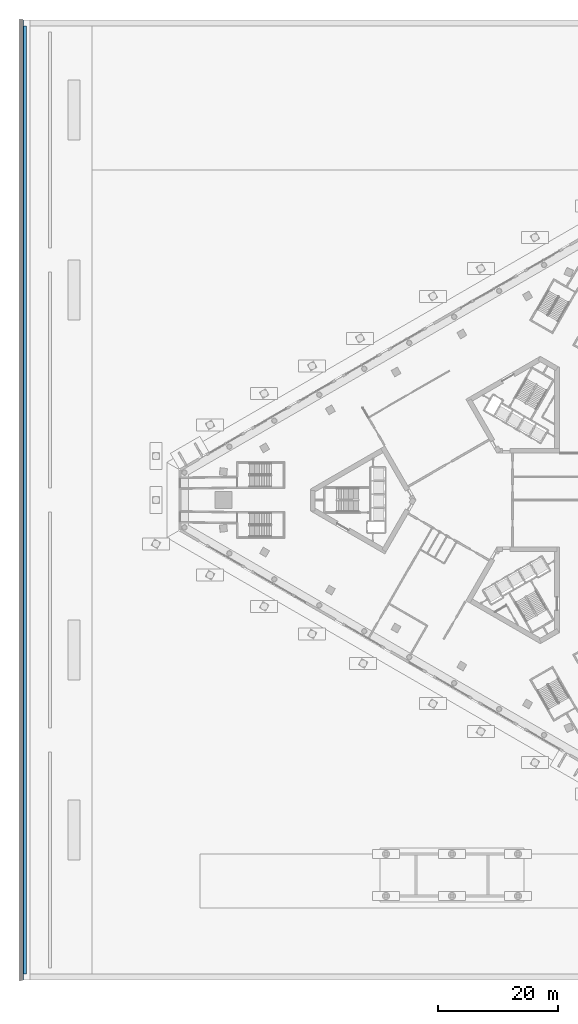
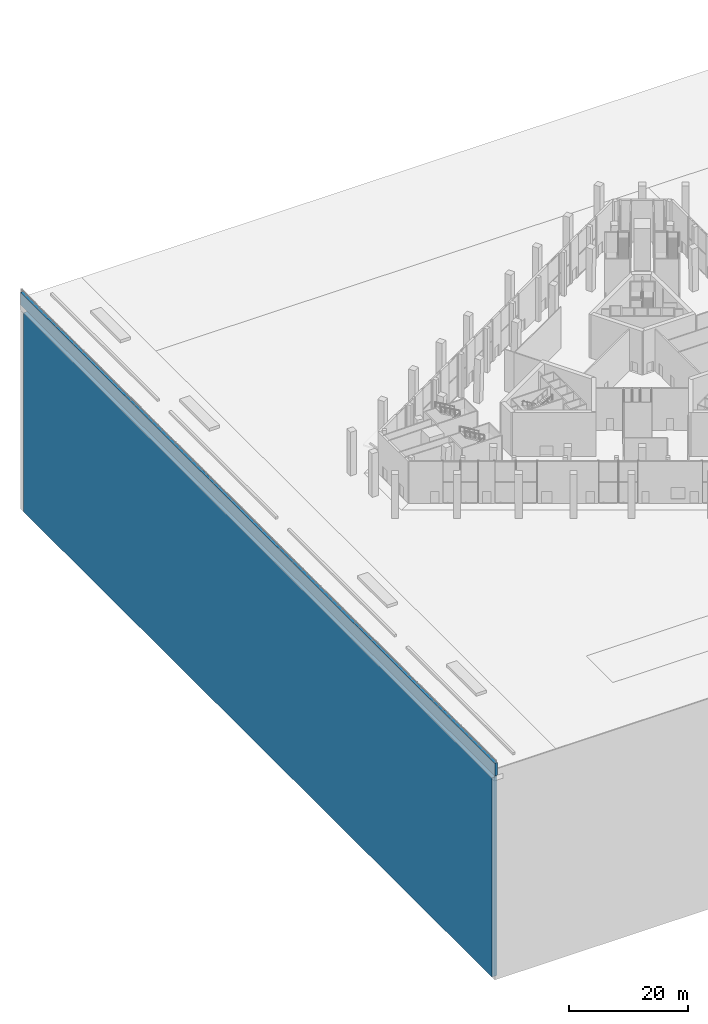
# One storey, part 25 of 63: 2 walls.
"""IFC4 building model written with IfcOpenShell, lengths in metres."""

from ifc_helpers import new_model, si_unit, direction, frame, frame_2d, origin, place, context, subcontext, project, spatial, rectangle, extrude, material, layer, layer_set, type_object, element, save


model = new_model("IFC4")

# Units and contexts
model_context = context("Model", 3, precision=1e-05, world=origin(), true_north=direction((0.0, 1.0)))
body_context = subcontext(model_context, "Body", "Model", "MODEL_VIEW")
ifc_project = project(units=[si_unit("LENGTHUNIT", "METRE"), si_unit("AREAUNIT", "SQUARE_METRE"), si_unit("VOLUMEUNIT", "CUBIC_METRE"), si_unit("PLANEANGLEUNIT", "RADIAN"), si_unit("MASSUNIT", "GRAM", prefix="KILO")], contexts=[model_context])

# Site, building, storey
site_placement = place(None, origin())
site = spatial("IfcSite", under=ifc_project, at=site_placement, CompositionType="ELEMENT")
building_placement = place(site_placement, origin())
building = spatial("IfcBuilding", under=site, at=building_placement, Name="Jabali Bay Hotel Tower and Convention Centre", CompositionType="ELEMENT")
storey_placement = place(building_placement, origin())
storey = spatial("IfcBuildingStorey", under=building, at=storey_placement, Name="L00", CompositionType="ELEMENT", Elevation=0.0)

# Walls
ifc_material = material(Name="Concrete C40", Category="concrete")
ifc_layer_1 = layer(ifc_material, 1.0)
ifc_layer_set_1 = layer_set([ifc_layer_1], Name="Concrete C40")
wall_type_1 = type_object("IfcWallType", Name="SI Perimeter Cut-off Wall 1000", PredefinedType="SOLIDWALL", material=ifc_layer_set_1)
wall_1_placement = place(storey_placement, frame((0.60009765625, 1.0, -43.5), z_axis=(0.0, 0.0, 1.0), x_axis=(0.0, 1.0, 0.0)))
element("IfcWall", 1, at=wall_1_placement, inside=storey, type_object=wall_type_1, Name="Perimeter cut-off wall west", PredefinedType="SOLIDWALL", context=body_context, shape_type="SweptSolid", body=[
    extrude(rectangle(XDim=158.0, YDim=1.0, at=frame_2d((79.0, 0.0))), origin(), (0.0, 0.0, 1.0), 41.0),
])
ifc_layer_2 = layer(ifc_material, 0.5)
ifc_layer_set_2 = layer_set([ifc_layer_2], Name="Concrete C40")
wall_type_2 = type_object("IfcWallType", Name="SI Seawall 500", PredefinedType="SOLIDWALL", material=ifc_layer_set_2)
wall_2_placement = place(storey_placement, frame((0.35009765625, 0.0, -1.5), z_axis=(0.0, 0.0, 1.0), x_axis=(0.0, 1.0, 0.0)))
element("IfcWall", 2, at=wall_2_placement, inside=storey, type_object=wall_type_2, Name="Seawall", PredefinedType="SOLIDWALL", context=body_context, shape_type="SweptSolid", body=[
    extrude(rectangle(XDim=160.0, YDim=0.5, at=frame_2d((80.0, 0.0))), origin(), (0.0, 0.0, 1.0), 2.60009765625),
])

save(model, "model.ifc")
